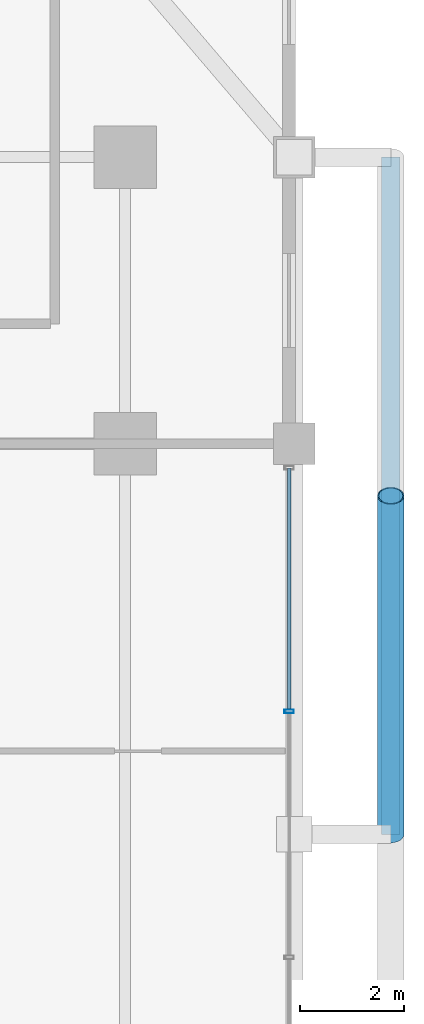
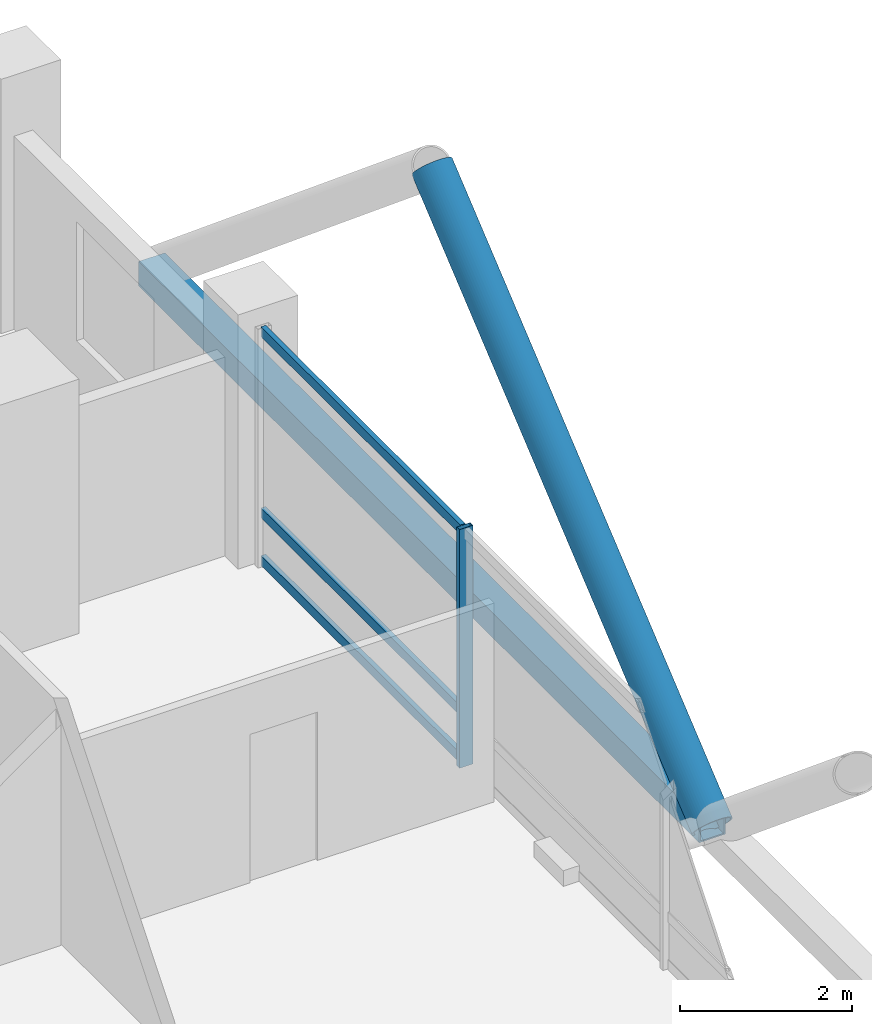
# One storey, part 11 of 24: 6 members, 1 element without a shape of its own.
"""IFC4 building model written with IfcOpenShell, lengths in metres."""

from ifc_helpers import new_model, si_unit, direction, frame, origin, origin_2d, place, context, subcontext, project, spatial, hollow_rectangle, hollow_circle, extrude, material, layer, layer_set, material_profile, profile_set, type_object, element, aggregate, save


model = new_model("IFC4")

# Units and contexts
model_context = context("Model", 3, precision=1e-05, world=origin(), true_north=direction((0.0, 1.0)))
body_context = subcontext(model_context, "Body", "Model", "MODEL_VIEW")
ifc_project = project(units=[si_unit("LENGTHUNIT", "METRE"), si_unit("AREAUNIT", "SQUARE_METRE"), si_unit("VOLUMEUNIT", "CUBIC_METRE"), si_unit("PLANEANGLEUNIT", "RADIAN"), si_unit("MASSUNIT", "GRAM", prefix="KILO")], contexts=[model_context])

# Site, building, storey
site_placement = place(None, origin())
site = spatial("IfcSite", under=ifc_project, at=site_placement, CompositionType="ELEMENT")
building_placement = place(site_placement, origin())
building = spatial("IfcBuilding", under=site, at=building_placement, Name="Barlavira Tower and Art Museum", CompositionType="ELEMENT")
storey_placement = place(building_placement, frame((0.0, 0.0, 154.800048828125)))
storey = spatial("IfcBuildingStorey", under=building, at=storey_placement, Name="L39", CompositionType="ELEMENT", Elevation=154.800048828125)

# Curtain wall, members
ifc_material_1 = material(Name="Low-iron coastal laminated glass", Category="glass")
ifc_layer = layer(ifc_material_1, 0.18994140625, Name="Low-iron coastal laminated glass")
ifc_layer_set = layer_set([ifc_layer], Name="Low-iron coastal laminated glass")
curtain_wall_type = type_object("IfcCurtainWallType", Name="Pale-Metal Unitised Curtain Wall Zone 2", PredefinedType="NOTDEFINED", material=ifc_layer_set)
curtain_wall_placement = place(storey_placement, origin())
curtain_wall = element("IfcCurtainWall", 1, at=curtain_wall_placement, inside=storey, type_object=curtain_wall_type, Name="L39 Curtain Wall CW2-L39-E-B3", PredefinedType="NOTDEFINED")
ifc_material_2 = material(Name="Pale anodised aluminium", Category="aluminium")
ifc_material_profile_1 = material_profile(ifc_material_2, hollow_rectangle(XDim=0.06494140625, YDim=0.179931640625, WallThickness=0.00390625, at=origin_2d()), Name="ALU-MULL 65x180x4")
ifc_profile_set_1 = profile_set([ifc_material_profile_1], Name="Pale anodised aluminium")
member_type_1 = type_object("IfcMemberType", Name="Curtain Wall Pale-Metal Mullion 65x180", PredefinedType="MULLION", material=ifc_profile_set_1)
member_1_placement = place(storey_placement, frame((20.14990234375, 2.360107421875, 0.0), z_axis=(0.0, 0.0, 1.0), x_axis=(0.0, 1.0, 0.0)))
member_1 = element("IfcMember", 2, at=member_1_placement, type_object=member_type_1, Name="CW2-L39-E-B3 Mullion 2", PredefinedType="MULLION", context=body_context, shape_type="SweptSolid", body=[
    extrude(hollow_rectangle(XDim=0.06494140625, YDim=0.179931640625, WallThickness=0.00390625, at=origin_2d()), origin(), (0.0, 0.0, 1.0), 3.3798828125),
])
ifc_material_profile_2 = material_profile(ifc_material_2, hollow_rectangle(XDim=0.06494140625, YDim=0.139892578125, WallThickness=0.00390625, at=origin_2d()), Name="ALU-TRAN 65x140x4")
ifc_profile_set_2 = profile_set([ifc_material_profile_2], Name="Pale anodised aluminium")
member_type_2 = type_object("IfcMemberType", Name="Curtain Wall Pale-Metal Transom 65x140", PredefinedType="USERDEFINED", material=ifc_profile_set_2)
member_2_placement = place(storey_placement, frame((20.14990234375, 2.405029296875, 0.070068359375), z_axis=(0.0, 1.0, 0.0), x_axis=(-1.0, 0.0, 0.0)))
member_2 = element("IfcMember", 3, at=member_2_placement, type_object=member_type_2, Name="CW2-L39-E-B3 Transom 2.1", ObjectType="TRANSOM", PredefinedType="USERDEFINED", context=body_context, shape_type="SweptSolid", body=[
    extrude(hollow_rectangle(XDim=0.06494140625, YDim=0.139892578125, WallThickness=0.00390625, at=origin_2d()), origin(), (0.0, 0.0, 1.0), 4.6298828125),
])
member_3_placement = place(storey_placement, frame((20.14990234375, 2.405029296875, 0.743896484375), z_axis=(0.0, 1.0, 0.0), x_axis=(-1.0, 0.0, 0.0)))
member_3 = element("IfcMember", 4, at=member_3_placement, type_object=member_type_2, Name="CW2-L39-E-B3 Transom 2.2", ObjectType="TRANSOM", PredefinedType="USERDEFINED", context=body_context, shape_type="SweptSolid", body=[
    extrude(hollow_rectangle(XDim=0.06494140625, YDim=0.139892578125, WallThickness=0.00390625, at=origin_2d()), origin(), (0.0, 0.0, 1.0), 4.6298828125),
])
member_4_placement = place(storey_placement, frame((20.14990234375, 2.405029296875, 3.31005859375), z_axis=(0.0, 1.0, 0.0), x_axis=(-1.0, 0.0, 0.0)))
member_4 = element("IfcMember", 5, at=member_4_placement, type_object=member_type_2, Name="CW2-L39-E-B3 Transom 2.3", ObjectType="TRANSOM", PredefinedType="USERDEFINED", context=body_context, shape_type="SweptSolid", body=[
    extrude(hollow_rectangle(XDim=0.06494140625, YDim=0.139892578125, WallThickness=0.00390625, at=origin_2d()), origin(), (0.0, 0.0, 1.0), 4.6298828125),
])
aggregate(curtain_wall, [member_1, member_2, member_3, member_4])

# Members
ifc_material_3 = material(Name="Steel S355", Category="steel")
ifc_material_profile_3 = material_profile(ifc_material_3, hollow_circle(Radius=0.25390625, WallThickness=0.022216796875, at=origin_2d()), Name="CHS 508.0x22.2")
ifc_profile_set_3 = profile_set([ifc_material_profile_3], Name="Steel S355")
member_type_3 = type_object("IfcMemberType", Name="Pale-Metal Exoskeleton Diagrid Tube CHS 508x22 Steel S355", PredefinedType="BRACE", material=ifc_profile_set_3)
member_5_placement = place(storey_placement, frame((22.10009765625, 0.0, -0.1201171875), z_axis=(0.0, 0.76918185268, 0.639029950399), x_axis=(-1.0, 0.0, 0.0)))
element("IfcMember", 6, at=member_5_placement, inside=storey, type_object=member_type_3, Name="L39 Exoskeleton Diagrid Tube E", PredefinedType="BRACE", context=body_context, shape_type="SweptSolid", body=[
    extrude(hollow_circle(Radius=0.25390625, WallThickness=0.022216796875, at=origin_2d()), origin(), (0.0, 0.0, 1.0), 8.450439453125),
])
ifc_material_profile_4 = material_profile(ifc_material_3, hollow_rectangle(XDim=0.35009765625, YDim=0.35009765625, WallThickness=0.02001953125, at=origin_2d()), Name="SHS 350x350x20.0")
ifc_profile_set_4 = profile_set([ifc_material_profile_4], Name="Steel S355")
member_type_4 = type_object("IfcMemberType", Name="Pale-Metal Exoskeleton Ring Strut SHS 350x350x20 Steel S355", PredefinedType="STRUT", material=ifc_profile_set_4)
member_6_placement = place(storey_placement, frame((22.10009765625, 0.0, -0.1201171875), z_axis=(0.0, 1.0, 0.0), x_axis=(-1.0, 0.0, 0.0)))
element("IfcMember", 7, at=member_6_placement, inside=storey, type_object=member_type_4, Name="L39 Exoskeleton Ring Strut E", PredefinedType="STRUT", context=body_context, shape_type="SweptSolid", body=[
    extrude(hollow_rectangle(XDim=0.35009765625, YDim=0.35009765625, WallThickness=0.02001953125, at=origin_2d()), origin(), (0.0, 0.0, 1.0), 13.0),
])

save(model, "model.ifc")
